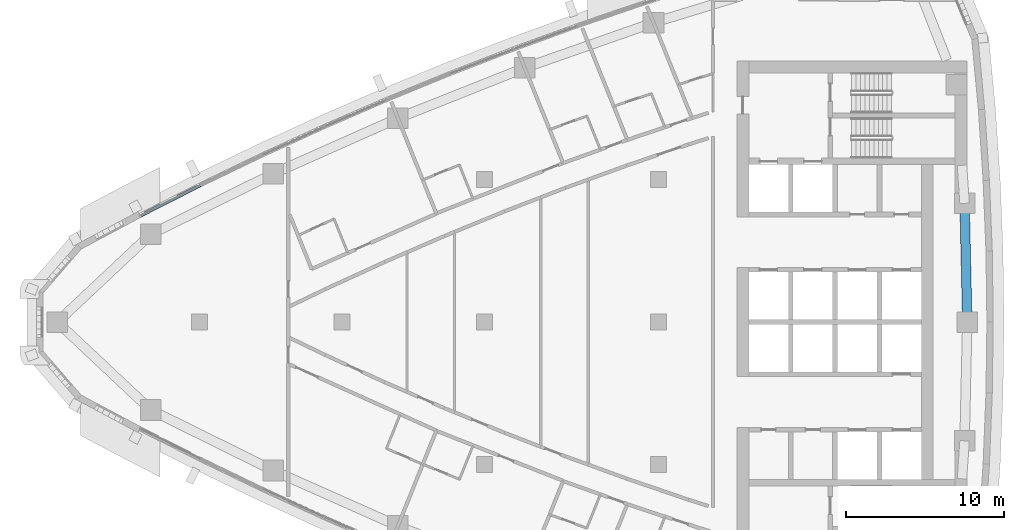
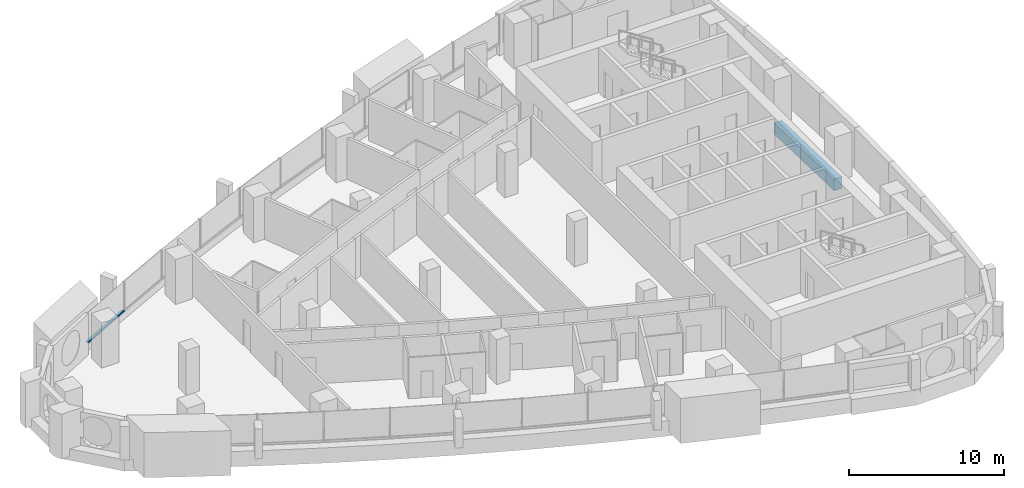
# One storey, part 5 of 17: 1 beam, 1 member, 1 element without a shape of its own.
"""IFC4 building model written with IfcOpenShell, lengths in metres."""

from ifc_helpers import new_model, si_unit, direction, frame, origin, origin_2d, place, context, subcontext, project, spatial, rectangle, extrude, material, layer, layer_set, material_profile, profile_set, type_object, element, aggregate, save


model = new_model("IFC4")

# Units and contexts
model_context = context("Model", 3, precision=1e-05, world=origin(), true_north=direction((0.0, 1.0)))
body_context = subcontext(model_context, "Body", "Model", "MODEL_VIEW")
ifc_project = project(units=[si_unit("LENGTHUNIT", "METRE"), si_unit("AREAUNIT", "SQUARE_METRE"), si_unit("VOLUMEUNIT", "CUBIC_METRE"), si_unit("PLANEANGLEUNIT", "RADIAN"), si_unit("MASSUNIT", "GRAM", prefix="KILO")], contexts=[model_context])

# Site, building, storey
site_placement = place(None, origin())
site = spatial("IfcSite", under=ifc_project, at=site_placement, CompositionType="ELEMENT")
building_placement = place(site_placement, origin())
building = spatial("IfcBuilding", under=site, at=building_placement, Name="Ostrand Prow Hotel Tower", CompositionType="ELEMENT")
storey_placement = place(building_placement, frame((0.0, 0.0, 179.050048828125)))
storey = spatial("IfcBuildingStorey", under=building, at=storey_placement, Name="L44", CompositionType="ELEMENT", Elevation=179.050048828125)

# Beam
ifc_material_1 = material(Name="Concrete C60/75", Category="concrete")
ifc_material_profile_1 = material_profile(ifc_material_1, rectangle(XDim=0.60009765625, YDim=0.89990234375, at=origin_2d()), Name="RC 600x900")
ifc_profile_set_1 = profile_set([ifc_material_profile_1], Name="Concrete C60/75")
beam_type = type_object("IfcBeamType", Name="Edge beam 600x900 C60/75", PredefinedType="SPANDREL", material=ifc_profile_set_1)
beam_placement = place(storey_placement, frame((64.5, 0.0, -0.75), z_axis=(-0.022620118241, 0.999744132391, 0.0), x_axis=(-0.999744132391, -0.022620118241, 0.0)))
element("IfcBeam", 1, at=beam_placement, inside=storey, type_object=beam_type, Name="Edge beam B3-B4", PredefinedType="SPANDREL", context=body_context, shape_type="SweptSolid", body=[
    extrude(rectangle(XDim=0.60009765625, YDim=0.89990234375, at=origin_2d()), origin(), (0.0, 0.0, 1.0), 7.501220703125),
])

# Curtain wall, member
ifc_material_2 = material(Name="Insulated glass in bronze anodised frame", Category="glass")
ifc_layer = layer(ifc_material_2, 0.199951171875)
ifc_layer_set = layer_set([ifc_layer], Name="Insulated glass in bronze anodised frame")
curtain_wall_type = type_object("IfcCurtainWallType", Name="Strip curtain wall, fritted glass over bronze spandrel", PredefinedType="NOTDEFINED", material=ifc_layer_set)
curtain_wall_placement = place(storey_placement, origin())
curtain_wall = element("IfcCurtainWall", 2, at=curtain_wall_placement, inside=storey, type_object=curtain_wall_type, Name="CW1 run CWN5", PredefinedType="NOTDEFINED")
ifc_material_3 = material(Name="Bronze anodised aluminium", Category="aluminium")
ifc_material_profile_2 = material_profile(ifc_material_3, rectangle(XDim=0.199951171875, YDim=0.1201171875, at=origin_2d()), Name="Transom 120x200 bronze anodised aluminium")
ifc_profile_set_2 = profile_set([ifc_material_profile_2], Name="Bronze anodised aluminium")
member_type = type_object("IfcMemberType", Name="Transom 120x200 bronze anodised aluminium", PredefinedType="USERDEFINED", material=ifc_profile_set_2)
member_placement = place(storey_placement, frame((16.06787109375, 8.6474609375, 0.9599609375), z_axis=(-0.891672840777, -0.452680400526, 0.0), x_axis=(0.452680400526, -0.891672840777, 0.0)))
member = element("IfcMember", 3, at=member_placement, type_object=member_type, Name="CW1 transom 2.1", ObjectType="TRANSOM", PredefinedType="USERDEFINED", context=body_context, shape_type="SweptSolid", body=[
    extrude(rectangle(XDim=0.199951171875, YDim=0.1201171875, at=origin_2d()), origin(), (0.0, 0.0, 1.0), 4.2451171875),
])
aggregate(curtain_wall, [member])

save(model, "model.ifc")
